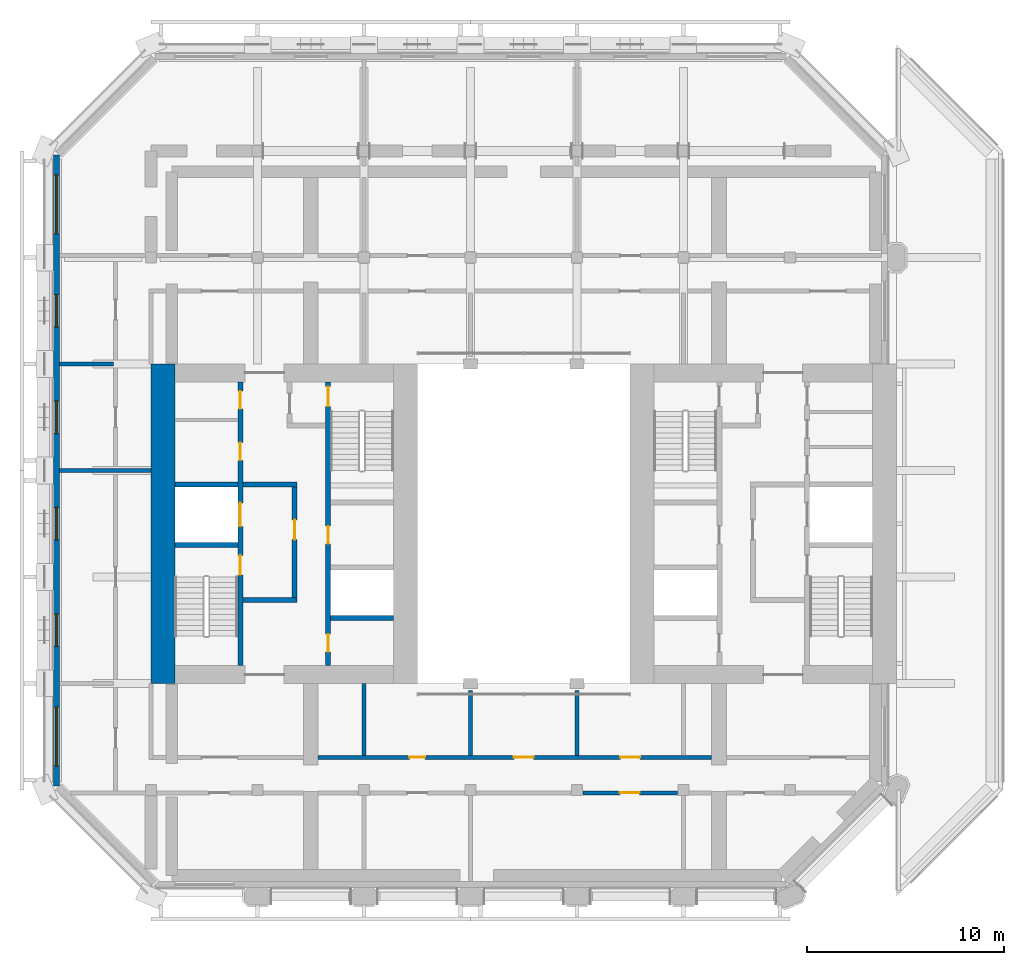
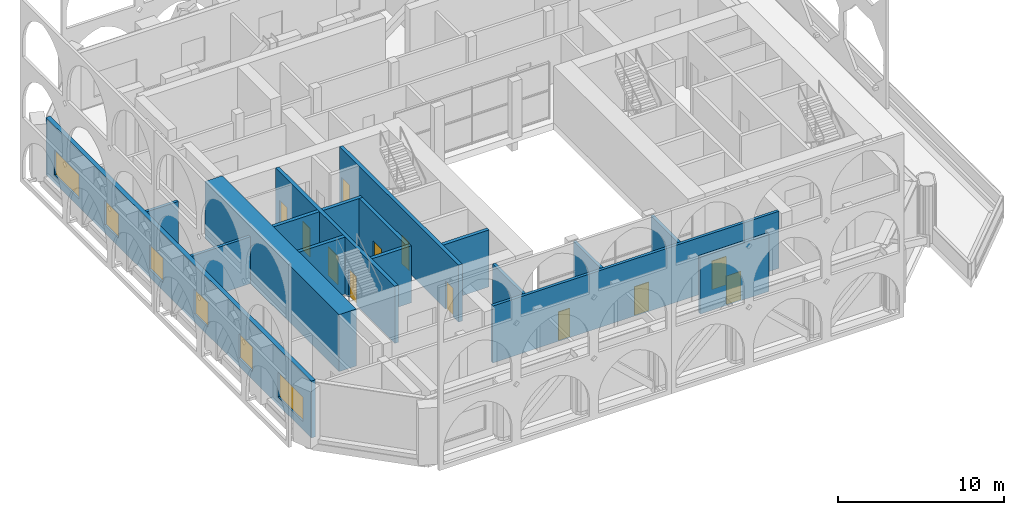
# One storey, part 7 of 16: 17 walls, 12 doors, 6 windows, 18 openings.
"""IFC4 building model written with IfcOpenShell, lengths in metres."""

from ifc_helpers import new_model, si_unit, direction, frame, frame_2d, origin, place, context, subcontext, project, spatial, polyline, rectangle, outline, extrude, material, layer, layer_set, type_object, element, fill, save


model = new_model("IFC4")

# Units and contexts
model_context = context("Model", 3, precision=1e-05, world=origin(), true_north=direction((0.0, 1.0)))
body_context = subcontext(model_context, "Body", "Model", "MODEL_VIEW")
ifc_project = project(units=[si_unit("LENGTHUNIT", "METRE"), si_unit("AREAUNIT", "SQUARE_METRE"), si_unit("VOLUMEUNIT", "CUBIC_METRE"), si_unit("PLANEANGLEUNIT", "RADIAN"), si_unit("MASSUNIT", "GRAM", prefix="KILO")], contexts=[model_context])

# Site, building, storey
site_placement = place(None, origin())
site = spatial("IfcSite", under=ifc_project, at=site_placement, CompositionType="ELEMENT")
building_placement = place(site_placement, origin())
building = spatial("IfcBuilding", under=site, at=building_placement, Name="Tabaq Tower and Sports Hall", CompositionType="ELEMENT")
storey_placement = place(building_placement, frame((0.0, 0.0, 308.199951171875)))
storey = spatial("IfcBuildingStorey", under=building, at=storey_placement, Name="L77", CompositionType="ELEMENT", Elevation=308.199951171875)

# Walls
ifc_material_1 = material(Name="Concrete C40/50", Category="concrete")
ifc_layer_1 = layer(ifc_material_1, 1.199951171875)
ifc_layer_set_1 = layer_set([ifc_layer_1], Name="Core wall 1200 Concrete C40/50")
wall_type_1 = type_object("IfcWallType", Name="Core wall 1200 Concrete C40/50", PredefinedType="SOLIDWALL", material=ifc_layer_set_1)
wall_1_placement = place(storey_placement, frame((6.0, 16.199951171875, 0.0), z_axis=(0.0, 0.0, 1.0), x_axis=(0.0, 1.0, 0.0)))
element("IfcWall", 1, at=wall_1_placement, inside=storey, type_object=wall_type_1, Name="Core wall W L77", PredefinedType="SOLIDWALL", context=body_context, shape_type="SweptSolid", body=[
    extrude(rectangle(XDim=16.199951171875, YDim=1.199951171875, at=frame_2d((8.10009765625, 0.0))), origin(), (0.0, 0.0, 1.0), 4.199951171875),
])
ifc_material_2 = material(Name="Blockwork", Category="masonry")
ifc_layer_2 = layer(ifc_material_2, 0.199951171875)
ifc_layer_set_2 = layer_set([ifc_layer_2], Name="Fire compartment wall 200 Blockwork")
wall_type_2 = type_object("IfcWallType", Name="Fire compartment wall 200 Blockwork", PredefinedType="PARTITIONING", material=ifc_layer_set_2)
wall_2_placement = place(storey_placement, frame((0.7509765625, 32.39990234375, 0.0), z_axis=(0.0, 0.0, 1.0), x_axis=(1.0, 0.0, 0.0)))
element("IfcWall", 2, at=wall_2_placement, inside=storey, type_object=wall_type_2, Name="Compartment wall L77", PredefinedType="PARTITIONING", context=body_context, shape_type="SweptSolid", body=[
    extrude(rectangle(XDim=2.7490234375, YDim=0.199951171875, at=frame_2d((1.37451171875, 0.0))), origin(), (0.0, 0.0, 1.0), 3.449951171875),
])
wall_3_placement = place(storey_placement, frame((0.7509765625, 27.0, 0.0), z_axis=(0.0, 0.0, 1.0), x_axis=(1.0, 0.0, 0.0)))
element("IfcWall", 3, at=wall_3_placement, inside=storey, type_object=wall_type_2, Name="Compartment wall L77", PredefinedType="PARTITIONING", context=body_context, shape_type="SweptSolid", body=[
    extrude(rectangle(XDim=4.64892578125, YDim=0.199951171875, at=frame_2d((2.324462890625, 0.0))), origin(), (0.0, 0.0, 1.0), 3.449951171875),
])

# Wall, opening, door
wall_4_placement = place(storey_placement, frame((27.294921875, 10.64990234375, 0.0), z_axis=(0.0, 0.0, 1.0), x_axis=(1.0, 0.0, 0.0)))
wall_4 = element("IfcWall", 4, at=wall_4_placement, inside=storey, type_object=wall_type_2, Name="Compartment wall L77", PredefinedType="PARTITIONING", context=body_context, shape_type="SweptSolid", body=[
    extrude(rectangle(XDim=4.81005859375, YDim=0.199951171875, at=frame_2d((2.405029296875, 0.0))), origin(), (0.0, 0.0, 1.0), 4.199951171875),
])
opening_1_placement = place(wall_4_placement, frame((1.887939453125, 0.0, 0.0)))
opening_1 = element("IfcOpeningElement", 5, at=opening_1_placement, cuts=wall_4, Name="Opening L77-010", PredefinedType="OPENING", context=body_context, shape_type="SweptSolid", body=[
    extrude(rectangle(XDim=1.0, YDim=2.10009765625, at=frame_2d((0.5, 1.050048828125))), frame((0.0, 0.10009765625, 0.0), z_axis=(0.0, -1.0, 0.0), x_axis=(1.0, 0.0, 0.0)), (0.0, 0.0, 1.0), 0.199951171875),
])
ifc_material_3 = material(Name="Steel fire door", Category="steel")
door_type_1 = type_object("IfcDoorType", Name="Plant room door 1000 left hand", OperationType="SINGLE_SWING_LEFT", PredefinedType="DOOR", material=ifc_material_3)
door_1_placement = place(opening_1_placement, origin())
door_1 = element("IfcDoor", 6, at=door_1_placement, inside=storey, type_object=door_type_1, Name="Plant room door L77-010", OperationType="SINGLE_SWING_LEFT", OverallHeight=2.10009765625, OverallWidth=1.0, PredefinedType="DOOR", context=body_context, shape_type="SweptSolid", body=[
    extrude(rectangle(XDim=1.0, YDim=2.10009765625, at=frame_2d((0.5, 1.050048828125))), frame((0.0, 0.02490234375, 0.0), z_axis=(0.0, -1.0, 0.0), x_axis=(1.0, 0.0, 0.0)), (0.0, 0.0, 1.0), 0.050048828125),
])
fill(opening_1, door_1)

# Walls
for number, where, z_axis, x_axis, name in (
    (7, (27.0, 15.830078125, 0.0), (0.0, 0.0, 1.0), (0.0, -1.0, 0.0), "Compartment wall L77"),
    (8, (21.60009765625, 15.830078125, 0.0), (0.0, 0.0, 1.0), (0.0, -1.0, 0.0), "Compartment wall L77"),
):
    element("IfcWall", number, at=place(storey_placement, frame(where, z_axis=z_axis, x_axis=x_axis)), inside=storey, type_object=wall_type_2, Name=name, PredefinedType="PARTITIONING", context=body_context, shape_type="SweptSolid", body=[
        extrude(rectangle(XDim=3.280029296875, YDim=0.199951171875, at=frame_2d((1.64013671875, 0.0))), origin(), (0.0, 0.0, 1.0), 4.199951171875),
    ])
wall_5_placement = place(storey_placement, frame((16.199951171875, 16.199951171875, 0.0), z_axis=(0.0, 0.0, 1.0), x_axis=(0.0, -1.0, 0.0)))
element("IfcWall", 9, at=wall_5_placement, inside=storey, type_object=wall_type_2, Name="Compartment wall L77", PredefinedType="PARTITIONING", context=body_context, shape_type="SweptSolid", body=[
    extrude(rectangle(XDim=3.64990234375, YDim=0.199951171875, at=frame_2d((1.824951171875, 0.0))), origin(), (0.0, 0.0, 1.0), 4.199951171875),
])

# Wall, openings, doors
wall_6_placement = place(storey_placement, frame((13.8759765625, 12.449951171875, 0.0), z_axis=(0.0, 0.0, 1.0), x_axis=(1.0, 0.0, 0.0)))
wall_6 = element("IfcWall", 10, at=wall_6_placement, inside=storey, type_object=wall_type_2, Name="Compartment wall L77", PredefinedType="PARTITIONING", context=body_context, shape_type="SweptSolid", body=[
    extrude(rectangle(XDim=19.947998046875, YDim=0.199951171875, at=frame_2d((9.97412109375, 0.0))), origin(), (0.0, 0.0, 1.0), 4.199951171875),
])
opening_2_placement = place(wall_6_placement, frame((15.323974609375, 0.0, 0.0)))
opening_2 = element("IfcOpeningElement", 11, at=opening_2_placement, cuts=wall_6, Name="Opening L77-013", PredefinedType="OPENING", context=body_context, shape_type="SweptSolid", body=[
    extrude(rectangle(XDim=1.0, YDim=2.10009765625, at=frame_2d((0.5, 1.050048828125))), frame((0.0, 0.10009765625, 0.0), z_axis=(0.0, -1.0, 0.0), x_axis=(1.0, 0.0, 0.0)), (0.0, 0.0, 1.0), 0.199951171875),
])
opening_3_placement = place(wall_6_placement, frame((9.924072265625, 0.0, 0.0)))
opening_3 = element("IfcOpeningElement", 12, at=opening_3_placement, cuts=wall_6, Name="Opening L77-014", PredefinedType="OPENING", context=body_context, shape_type="SweptSolid", body=[
    extrude(rectangle(XDim=1.0, YDim=2.10009765625, at=frame_2d((0.5, 1.050048828125))), frame((0.0, 0.10009765625, 0.0), z_axis=(0.0, -1.0, 0.0), x_axis=(1.0, 0.0, 0.0)), (0.0, 0.0, 1.0), 0.199951171875),
])
opening_4_placement = place(wall_6_placement, frame((4.6240234375, 0.0, 0.0)))
opening_4 = element("IfcOpeningElement", 13, at=opening_4_placement, cuts=wall_6, Name="Opening L77-015", PredefinedType="OPENING", context=body_context, shape_type="SweptSolid", body=[
    extrude(rectangle(XDim=0.800048828125, YDim=2.10009765625, at=frame_2d((0.39990234375, 1.050048828125))), frame((0.0, 0.10009765625, 0.0), z_axis=(0.0, -1.0, 0.0), x_axis=(1.0, 0.0, 0.0)), (0.0, 0.0, 1.0), 0.199951171875),
])
ifc_material_4 = material(Name="Steel fire door", Category="steel")
door_type_2 = type_object("IfcDoorType", Name="Plant room door 1000 right hand", OperationType="SINGLE_SWING_RIGHT", PredefinedType="DOOR", material=ifc_material_4)
door_2_placement = place(opening_3_placement, origin())
door_2 = element("IfcDoor", 14, at=door_2_placement, inside=storey, type_object=door_type_2, Name="Plant room door L77-014", OperationType="SINGLE_SWING_RIGHT", OverallHeight=2.10009765625, OverallWidth=1.0, PredefinedType="DOOR", context=body_context, shape_type="SweptSolid", body=[
    extrude(rectangle(XDim=1.0, YDim=2.10009765625, at=frame_2d((0.5, 1.050048828125))), frame((0.0, 0.02490234375, 0.0), z_axis=(0.0, -1.0, 0.0), x_axis=(1.0, 0.0, 0.0)), (0.0, 0.0, 1.0), 0.050048828125),
])
fill(opening_3, door_2)
ifc_material_5 = material(Name="Steel fire door", Category="steel")
door_type_3 = type_object("IfcDoorType", Name="Riser door 1000 left hand", OperationType="SINGLE_SWING_LEFT", PredefinedType="DOOR", material=ifc_material_5)
door_3_placement = place(opening_2_placement, origin())
door_3 = element("IfcDoor", 15, at=door_3_placement, inside=storey, type_object=door_type_3, Name="Riser door L77-013", OperationType="SINGLE_SWING_LEFT", OverallHeight=2.10009765625, OverallWidth=1.0, PredefinedType="DOOR", context=body_context, shape_type="SweptSolid", body=[
    extrude(rectangle(XDim=1.0, YDim=2.10009765625, at=frame_2d((0.5, 1.050048828125))), frame((0.0, 0.02490234375, 0.0), z_axis=(0.0, -1.0, 0.0), x_axis=(1.0, 0.0, 0.0)), (0.0, 0.0, 1.0), 0.050048828125),
])
fill(opening_2, door_3)
ifc_material_6 = material(Name="Steel fire door", Category="steel")
door_type_4 = type_object("IfcDoorType", Name="Riser door 800 right hand", OperationType="SINGLE_SWING_RIGHT", PredefinedType="DOOR", material=ifc_material_6)
door_4_placement = place(opening_4_placement, origin())
door_4 = element("IfcDoor", 16, at=door_4_placement, inside=storey, type_object=door_type_4, Name="Riser door L77-015", OperationType="SINGLE_SWING_RIGHT", OverallHeight=2.10009765625, OverallWidth=0.800048828125, PredefinedType="DOOR", context=body_context, shape_type="SweptSolid", body=[
    extrude(rectangle(XDim=0.800048828125, YDim=2.10009765625, at=frame_2d((0.39990234375, 1.050048828125))), frame((0.0, 0.02490234375, 0.0), z_axis=(0.0, -1.0, 0.0), x_axis=(1.0, 0.0, 0.0)), (0.0, 0.0, 1.0), 0.050048828125),
])
fill(opening_4, door_4)

ifc_material_7 = material(Name="Concrete C40/50", Category="concrete")
ifc_layer_3 = layer(ifc_material_7, 0.25)
ifc_layer_set_3 = layer_set([ifc_layer_3], Name="Shaft and stair wall 250 Concrete C40/50")
wall_type_3 = type_object("IfcWallType", Name="Shaft and stair wall 250 Concrete C40/50", PredefinedType="SOLIDWALL", material=ifc_layer_set_3)
wall_7_placement = place(storey_placement, frame((9.925048828125, 17.10009765625, 0.0), z_axis=(0.0, 0.0, 1.0), x_axis=(0.0, 1.0, 0.0)))
wall_7 = element("IfcWall", 17, at=wall_7_placement, inside=storey, type_object=wall_type_3, Name="Shaft wall W L77", PredefinedType="SOLIDWALL", context=body_context, shape_type="SweptSolid", body=[
    extrude(rectangle(XDim=14.39990234375, YDim=0.25, at=frame_2d((7.199951171875, 0.0))), origin(), (0.0, 0.0, 1.0), 4.199951171875),
])
opening_5_placement = place(wall_7_placement, frame((4.60009765625, 0.0, 0.0)))
opening_5 = element("IfcOpeningElement", 18, at=opening_5_placement, cuts=wall_7, Name="Opening SD-WL77-03", PredefinedType="OPENING", context=body_context, shape_type="SweptSolid", body=[
    extrude(rectangle(XDim=1.0, YDim=2.10009765625, at=frame_2d((0.5, 1.050048828125))), frame((0.0, 0.125, 0.0), z_axis=(0.0, -1.0, 0.0), x_axis=(1.0, 0.0, 0.0)), (0.0, 0.0, 1.0), 0.25),
])
opening_6_placement = place(wall_7_placement, frame((7.0625, 0.0, 0.0)))
opening_6 = element("IfcOpeningElement", 19, at=opening_6_placement, cuts=wall_7, Name="Opening LD-FF1-L77", PredefinedType="OPENING", context=body_context, shape_type="SweptSolid", body=[
    extrude(rectangle(XDim=1.199951171875, YDim=2.10009765625, at=frame_2d((0.60009765625, 1.050048828125))), frame((0.0, 0.125, 0.0), z_axis=(0.0, -1.0, 0.0), x_axis=(1.0, 0.0, 0.0)), (0.0, 0.0, 1.0), 0.25),
])
opening_7_placement = place(wall_7_placement, frame((10.410400390625, 0.0, 0.0)))
opening_7 = element("IfcOpeningElement", 20, at=opening_7_placement, cuts=wall_7, Name="Opening RD-WL77-08", PredefinedType="OPENING", context=body_context, shape_type="SweptSolid", body=[
    extrude(rectangle(XDim=0.89990234375, YDim=2.10009765625, at=frame_2d((0.449951171875, 1.050048828125))), frame((0.0, 0.125, 0.0), z_axis=(0.0, -1.0, 0.0), x_axis=(1.0, 0.0, 0.0)), (0.0, 0.0, 1.0), 0.25),
])
opening_8_placement = place(wall_7_placement, frame((13.02294921875, 0.0, 0.0)))
opening_8 = element("IfcOpeningElement", 21, at=opening_8_placement, cuts=wall_7, Name="Opening RD-WL77-09", PredefinedType="OPENING", context=body_context, shape_type="SweptSolid", body=[
    extrude(rectangle(XDim=0.89990234375, YDim=2.10009765625, at=frame_2d((0.449951171875, 1.050048828125))), frame((0.0, 0.125, 0.0), z_axis=(0.0, -1.0, 0.0), x_axis=(1.0, 0.0, 0.0)), (0.0, 0.0, 1.0), 0.25),
])
ifc_material_8 = material(Name="Steel fire door", Category="steel")
door_type_5 = type_object("IfcDoorType", Name="Core room door 900", OperationType="SINGLE_SWING_LEFT", PredefinedType="DOOR", material=ifc_material_8)
door_5_placement = place(opening_7_placement, origin())
door_5 = element("IfcDoor", 22, at=door_5_placement, inside=storey, type_object=door_type_5, Name="Door Electrical Room W L77", OperationType="SINGLE_SWING_LEFT", OverallHeight=2.10009765625, OverallWidth=0.89990234375, PredefinedType="DOOR", context=body_context, shape_type="SweptSolid", body=[
    extrude(rectangle(XDim=0.89990234375, YDim=2.10009765625, at=frame_2d((0.449951171875, 1.050048828125))), frame((0.0, 0.02490234375, 0.0), z_axis=(0.0, -1.0, 0.0), x_axis=(1.0, 0.0, 0.0)), (0.0, 0.0, 1.0), 0.050048828125),
])
fill(opening_7, door_5)
door_6_placement = place(opening_8_placement, origin())
door_6 = element("IfcDoor", 23, at=door_6_placement, inside=storey, type_object=door_type_5, Name="Door Comms Room W L77", OperationType="SINGLE_SWING_LEFT", OverallHeight=2.10009765625, OverallWidth=0.89990234375, PredefinedType="DOOR", context=body_context, shape_type="SweptSolid", body=[
    extrude(rectangle(XDim=0.89990234375, YDim=2.10009765625, at=frame_2d((0.449951171875, 1.050048828125))), frame((0.0, 0.02490234375, 0.0), z_axis=(0.0, -1.0, 0.0), x_axis=(1.0, 0.0, 0.0)), (0.0, 0.0, 1.0), 0.050048828125),
])
fill(opening_8, door_6)
ifc_material_9 = material(Name="Stainless steel", Category="steel")
door_type_6 = type_object("IfcDoorType", Name="Lift landing door 1200", OperationType="DOUBLE_DOOR_SLIDING", PredefinedType="DOOR", material=ifc_material_9)
door_7_placement = place(opening_6_placement, origin())
door_7 = element("IfcDoor", 24, at=door_7_placement, inside=storey, type_object=door_type_6, Name="Lift landing door FF1 W L77", OperationType="DOUBLE_DOOR_SLIDING", OverallHeight=2.10009765625, OverallWidth=1.199951171875, PredefinedType="DOOR", context=body_context, shape_type="SweptSolid", body=[
    extrude(rectangle(XDim=1.199951171875, YDim=2.10009765625, at=frame_2d((0.60009765625, 1.050048828125))), frame((0.0, 0.02490234375, 0.0), z_axis=(0.0, -1.0, 0.0), x_axis=(1.0, 0.0, 0.0)), (0.0, 0.0, 1.0), 0.050048828125),
])
fill(opening_6, door_7)
ifc_material_10 = material(Name="Steel fire door", Category="steel")
door_type_7 = type_object("IfcDoorType", Name="Stair door 1000", OperationType="SINGLE_SWING_LEFT", PredefinedType="DOOR", material=ifc_material_10)
door_8_placement = place(opening_5_placement, origin())
door_8 = element("IfcDoor", 25, at=door_8_placement, inside=storey, type_object=door_type_7, Name="Stair door ST1 W L77", OperationType="SINGLE_SWING_LEFT", OverallHeight=2.10009765625, OverallWidth=1.0, PredefinedType="DOOR", context=body_context, shape_type="SweptSolid", body=[
    extrude(rectangle(XDim=1.0, YDim=2.10009765625, at=frame_2d((0.5, 1.050048828125))), frame((0.0, 0.02490234375, 0.0), z_axis=(0.0, -1.0, 0.0), x_axis=(1.0, 0.0, 0.0)), (0.0, 0.0, 1.0), 0.050048828125),
])
fill(opening_5, door_8)

wall_8_placement = place(storey_placement, frame((14.375, 17.10009765625, 0.0), z_axis=(0.0, 0.0, 1.0), x_axis=(0.0, 1.0, 0.0)))
wall_8 = element("IfcWall", 26, at=wall_8_placement, inside=storey, type_object=wall_type_3, Name="Shaft wall W L77", PredefinedType="SOLIDWALL", context=body_context, shape_type="SweptSolid", body=[
    extrude(rectangle(XDim=14.39990234375, YDim=0.25, at=frame_2d((7.199951171875, 0.0))), origin(), (0.0, 0.0, 1.0), 4.199951171875),
])
opening_9_placement = place(wall_8_placement, frame((13.14990234375, 0.0, 0.0)))
opening_9 = element("IfcOpeningElement", 27, at=opening_9_placement, cuts=wall_8, Name="Opening SD-WL77-05", PredefinedType="OPENING", context=body_context, shape_type="SweptSolid", body=[
    extrude(rectangle(XDim=1.0, YDim=2.10009765625, at=frame_2d((0.5, 1.050048828125))), frame((0.0, 0.125, 0.0), z_axis=(0.0, -1.0, 0.0), x_axis=(1.0, 0.0, 0.0)), (0.0, 0.0, 1.0), 0.25),
])
opening_10_placement = place(wall_8_placement, frame((0.699951171875, 0.0, 0.0)))
opening_10 = element("IfcOpeningElement", 28, at=opening_10_placement, cuts=wall_8, Name="Opening RD-WL77-10", PredefinedType="OPENING", context=body_context, shape_type="SweptSolid", body=[
    extrude(rectangle(XDim=0.89990234375, YDim=2.10009765625, at=frame_2d((0.449951171875, 1.050048828125))), frame((0.0, 0.125, 0.0), z_axis=(0.0, -1.0, 0.0), x_axis=(1.0, 0.0, 0.0)), (0.0, 0.0, 1.0), 0.25),
])
opening_11_placement = place(wall_8_placement, frame((6.175048828125, 0.0, 0.0)))
opening_11 = element("IfcOpeningElement", 29, at=opening_11_placement, cuts=wall_8, Name="Opening RD-WL77-11", PredefinedType="OPENING", context=body_context, shape_type="SweptSolid", body=[
    extrude(rectangle(XDim=0.89990234375, YDim=2.10009765625, at=frame_2d((0.449951171875, 1.050048828125))), frame((0.0, 0.125, 0.0), z_axis=(0.0, -1.0, 0.0), x_axis=(1.0, 0.0, 0.0)), (0.0, 0.0, 1.0), 0.25),
])
door_9_placement = place(opening_10_placement, origin())
door_9 = element("IfcDoor", 30, at=door_9_placement, inside=storey, type_object=door_type_5, Name="Door Electrical Riser Room W L77", OperationType="SINGLE_SWING_LEFT", OverallHeight=2.10009765625, OverallWidth=0.89990234375, PredefinedType="DOOR", context=body_context, shape_type="SweptSolid", body=[
    extrude(rectangle(XDim=0.89990234375, YDim=2.10009765625, at=frame_2d((0.449951171875, 1.050048828125))), frame((0.0, 0.02490234375, 0.0), z_axis=(0.0, -1.0, 0.0), x_axis=(1.0, 0.0, 0.0)), (0.0, 0.0, 1.0), 0.050048828125),
])
fill(opening_10, door_9)
door_10_placement = place(opening_11_placement, origin())
door_10 = element("IfcDoor", 31, at=door_10_placement, inside=storey, type_object=door_type_5, Name="Door Riser Room W L77", OperationType="SINGLE_SWING_LEFT", OverallHeight=2.10009765625, OverallWidth=0.89990234375, PredefinedType="DOOR", context=body_context, shape_type="SweptSolid", body=[
    extrude(rectangle(XDim=0.89990234375, YDim=2.10009765625, at=frame_2d((0.449951171875, 1.050048828125))), frame((0.0, 0.02490234375, 0.0), z_axis=(0.0, -1.0, 0.0), x_axis=(1.0, 0.0, 0.0)), (0.0, 0.0, 1.0), 0.050048828125),
])
fill(opening_11, door_10)
door_11_placement = place(opening_9_placement, origin())
door_11 = element("IfcDoor", 32, at=door_11_placement, inside=storey, type_object=door_type_7, Name="Stair door ST2 W L77", OperationType="SINGLE_SWING_LEFT", OverallHeight=2.10009765625, OverallWidth=1.0, PredefinedType="DOOR", context=body_context, shape_type="SweptSolid", body=[
    extrude(rectangle(XDim=1.0, YDim=2.10009765625, at=frame_2d((0.5, 1.050048828125))), frame((0.0, 0.02490234375, 0.0), z_axis=(0.0, -1.0, 0.0), x_axis=(1.0, 0.0, 0.0)), (0.0, 0.0, 1.0), 0.050048828125),
])
fill(opening_9, door_11)

# Walls
for number, where, z_axis, x_axis, name in (
    (33, (6.60009765625, 23.22509765625, 0.0), (0.0, 0.0, 1.0), (1.0, 0.0, 0.0), "Stair enclosure wall W L77"),
    (34, (6.60009765625, 26.300048828125, 0.0), (0.0, 0.0, 1.0), (1.0, 0.0, 0.0), "Shaft wall W L77"),
):
    element("IfcWall", number, at=place(storey_placement, frame(where, z_axis=z_axis, x_axis=x_axis)), inside=storey, type_object=wall_type_3, Name=name, PredefinedType="SOLIDWALL", context=body_context, shape_type="SweptSolid", body=[
        extrude(rectangle(XDim=3.199951171875, YDim=0.25, at=frame_2d((1.60009765625, 0.0))), origin(), (0.0, 0.0, 1.0), 4.199951171875),
    ])
for number, where, z_axis, x_axis, name in (
    (35, (10.050048828125, 26.300048828125, 0.0), (0.0, 0.0, 1.0), (1.0, 0.0, 0.0), "Fire-fighting lobby wall W L77"),
    (36, (10.050048828125, 20.425048828125, 0.0), (0.0, 0.0, 1.0), (1.0, 0.0, 0.0), "Fire-fighting lobby wall W L77"),
):
    element("IfcWall", number, at=place(storey_placement, frame(where, z_axis=z_axis, x_axis=x_axis)), inside=storey, type_object=wall_type_3, Name=name, PredefinedType="SOLIDWALL", context=body_context, shape_type="SweptSolid", body=[
        extrude(rectangle(XDim=2.75, YDim=0.25, at=frame_2d((1.375, 0.0))), origin(), (0.0, 0.0, 1.0), 4.199951171875),
    ])

# Wall, opening, door
wall_9_placement = place(storey_placement, frame((12.675048828125, 20.550048828125, 0.0), z_axis=(0.0, 0.0, 1.0), x_axis=(0.0, 1.0, 0.0)))
wall_9 = element("IfcWall", 37, at=wall_9_placement, inside=storey, type_object=wall_type_3, Name="Fire-fighting lobby wall W L77", PredefinedType="SOLIDWALL", context=body_context, shape_type="SweptSolid", body=[
    extrude(rectangle(XDim=5.625, YDim=0.25, at=frame_2d((2.8125, 0.0))), origin(), (0.0, 0.0, 1.0), 4.199951171875),
])
opening_12_placement = place(wall_9_placement, frame((2.949951171875, 0.0, 0.0)))
opening_12 = element("IfcOpeningElement", 38, at=opening_12_placement, cuts=wall_9, Name="Opening FD-WL77-04", PredefinedType="OPENING", context=body_context, shape_type="SweptSolid", body=[
    extrude(rectangle(XDim=1.0, YDim=2.10009765625, at=frame_2d((0.5, 1.050048828125))), frame((0.0, 0.125, 0.0), z_axis=(0.0, -1.0, 0.0), x_axis=(1.0, 0.0, 0.0)), (0.0, 0.0, 1.0), 0.25),
])
ifc_material_11 = material(Name="Steel fire door", Category="steel")
door_type_8 = type_object("IfcDoorType", Name="Fire-fighting lobby door 1000", OperationType="SINGLE_SWING_LEFT", PredefinedType="DOOR", material=ifc_material_11)
door_12_placement = place(opening_12_placement, origin())
door_12 = element("IfcDoor", 39, at=door_12_placement, inside=storey, type_object=door_type_8, Name="Fire-fighting lobby door W L77", OperationType="SINGLE_SWING_LEFT", OverallHeight=2.10009765625, OverallWidth=1.0, PredefinedType="DOOR", context=body_context, shape_type="SweptSolid", body=[
    extrude(rectangle(XDim=1.0, YDim=2.10009765625, at=frame_2d((0.5, 1.050048828125))), frame((0.0, 0.02490234375, 0.0), z_axis=(0.0, -1.0, 0.0), x_axis=(1.0, 0.0, 0.0)), (0.0, 0.0, 1.0), 0.050048828125),
])
fill(opening_12, door_12)

# Wall
wall_10_placement = place(storey_placement, frame((14.5, 19.52490234375, 0.0), z_axis=(0.0, 0.0, 1.0), x_axis=(1.0, 0.0, 0.0)))
element("IfcWall", 40, at=wall_10_placement, inside=storey, type_object=wall_type_3, Name="Shaft wall W L77", PredefinedType="SOLIDWALL", context=body_context, shape_type="SweptSolid", body=[
    extrude(rectangle(XDim=3.199951171875, YDim=0.25, at=frame_2d((1.60009765625, 0.0))), origin(), (0.0, 0.0, 1.0), 4.199951171875),
])

# Wall, openings, windows
ifc_material_12 = material(Name="White precast concrete C60/75", Category="concrete")
ifc_layer_4 = layer(ifc_material_12, 0.300048828125)
ifc_layer_set_4 = layer_set([ifc_layer_4], Name="White precast concrete C60/75 external wall 300")
wall_type_4 = type_object("IfcWallType", Name="White precast concrete C60/75 external wall 300", PredefinedType="SOLIDWALL", material=ifc_layer_set_4)
wall_11_placement = place(storey_placement, frame((0.60009765625, 43.013671875, 0.0), z_axis=(0.0, 0.0, 1.0), x_axis=(0.0, -1.0, 0.0)))
wall_11 = element("IfcWall", 41, at=wall_11_placement, inside=storey, type_object=wall_type_4, Name="External Wall L77 W", PredefinedType="SOLIDWALL", context=body_context, shape_type="SweptSolid", body=[
    extrude(outline(polyline([(0.0, 0.0), (32.02734375, 0.0), (32.027099609375, 4.199951171875), (31.43408203125, 4.199951171875), (30.841064453125, 4.199951171875), (30.247802734375, 4.199951171875), (29.65478515625, 4.199951171875), (29.061767578125, 4.199951171875), (28.46875, 4.199951171875), (27.87548828125, 4.199951171875), (27.282470703125, 4.199951171875), (26.689453125, 4.199951171875), (26.09619140625, 4.199951171875), (25.503173828125, 4.199951171875), (24.91015625, 4.199951171875), (24.31689453125, 4.199951171875), (23.723876953125, 4.199951171875), (23.130859375, 4.199951171875), (22.53759765625, 4.199951171875), (21.944580078125, 4.199951171875), (21.3515625, 4.199951171875), (20.75830078125, 4.199951171875), (20.165283203125, 4.199951171875), (19.572265625, 4.199951171875), (18.97900390625, 4.199951171875), (18.385986328125, 4.199951171875), (17.79296875, 4.199951171875), (17.19970703125, 4.199951171875), (16.606689453125, 4.199951171875), (16.013671875, 4.199951171875), (15.42041015625, 4.199951171875), (14.827392578125, 4.199951171875), (14.234375, 4.199951171875), (13.64111328125, 4.199951171875), (13.048095703125, 4.199951171875), (12.455078125, 4.199951171875), (11.86181640625, 4.199951171875), (11.268798828125, 4.199951171875), (10.67578125, 4.199951171875), (10.08251953125, 4.199951171875), (9.489501953125, 4.199951171875), (8.896484375, 4.199951171875), (8.303466796875, 4.199951171875), (7.710205078125, 4.199951171875), (7.1171875, 4.199951171875), (6.524169921875, 4.199951171875), (5.930908203125, 4.199951171875), (5.337890625, 4.199951171875), (4.744873046875, 4.199951171875), (4.151611328125, 4.199951171875), (3.55859375, 4.199951171875), (2.965576171875, 4.199951171875), (2.372314453125, 4.199951171875), (1.779296875, 4.199951171875), (1.186279296875, 4.199951171875), (0.593017578125, 4.199951171875), (0.0, 4.199951171875), (0.0, 0.0)])), frame((0.0, 0.14990234375, 0.0), z_axis=(0.0, -1.0, 0.0), x_axis=(1.0, 0.0, 0.0)), (0.0, 0.0, 1.0), 0.300048828125),
])
opening_13_placement = place(wall_11_placement, frame((1.013671875, 0.0, 0.60009765625)))
opening_13 = element("IfcOpeningElement", 42, at=opening_13_placement, cuts=wall_11, Name="Opening LV1", PredefinedType="OPENING", context=body_context, shape_type="SweptSolid", body=[
    extrude(rectangle(XDim=3.0, YDim=1.800048828125, at=frame_2d((1.5, 0.89990234375))), frame((0.0, 0.16015625, 0.0), z_axis=(0.0, -1.0, 0.0), x_axis=(1.0, 0.0, 0.0)), (0.0, 0.0, 1.0), 0.320068359375),
])
opening_14_placement = place(wall_11_placement, frame((7.088623046875, 0.0, 0.60009765625)))
opening_14 = element("IfcOpeningElement", 43, at=opening_14_placement, cuts=wall_11, Name="Opening LV2", PredefinedType="OPENING", context=body_context, shape_type="SweptSolid", body=[
    extrude(rectangle(XDim=1.64990234375, YDim=1.800048828125, at=frame_2d((0.824951171875, 0.89990234375))), frame((0.0, 0.16015625, 0.0), z_axis=(0.0, -1.0, 0.0), x_axis=(1.0, 0.0, 0.0)), (0.0, 0.0, 1.0), 0.320068359375),
])
opening_15_placement = place(wall_11_placement, frame((12.488525390625, 0.0, 0.60009765625)))
opening_15 = element("IfcOpeningElement", 44, at=opening_15_placement, cuts=wall_11, Name="Opening LV2", PredefinedType="OPENING", context=body_context, shape_type="SweptSolid", body=[
    extrude(rectangle(XDim=1.64990234375, YDim=1.800048828125, at=frame_2d((0.824951171875, 0.89990234375))), frame((0.0, 0.16015625, 0.0), z_axis=(0.0, -1.0, 0.0), x_axis=(1.0, 0.0, 0.0)), (0.0, 0.0, 1.0), 0.320068359375),
])
opening_16_placement = place(wall_11_placement, frame((17.888671875, 0.0, 0.60009765625)))
opening_16 = element("IfcOpeningElement", 45, at=opening_16_placement, cuts=wall_11, Name="Opening LV2", PredefinedType="OPENING", context=body_context, shape_type="SweptSolid", body=[
    extrude(rectangle(XDim=1.64990234375, YDim=1.800048828125, at=frame_2d((0.824951171875, 0.89990234375))), frame((0.0, 0.16015625, 0.0), z_axis=(0.0, -1.0, 0.0), x_axis=(1.0, 0.0, 0.0)), (0.0, 0.0, 1.0), 0.320068359375),
])
opening_17_placement = place(wall_11_placement, frame((23.28857421875, 0.0, 0.60009765625)))
opening_17 = element("IfcOpeningElement", 46, at=opening_17_placement, cuts=wall_11, Name="Opening LV2", PredefinedType="OPENING", context=body_context, shape_type="SweptSolid", body=[
    extrude(rectangle(XDim=1.64990234375, YDim=1.800048828125, at=frame_2d((0.824951171875, 0.89990234375))), frame((0.0, 0.16015625, 0.0), z_axis=(0.0, -1.0, 0.0), x_axis=(1.0, 0.0, 0.0)), (0.0, 0.0, 1.0), 0.320068359375),
])
opening_18_placement = place(wall_11_placement, frame((28.013671875, 0.0, 0.60009765625)))
opening_18 = element("IfcOpeningElement", 47, at=opening_18_placement, cuts=wall_11, Name="Opening LV1", PredefinedType="OPENING", context=body_context, shape_type="SweptSolid", body=[
    extrude(rectangle(XDim=3.0, YDim=1.800048828125, at=frame_2d((1.5, 0.89990234375))), frame((0.0, 0.16015625, 0.0), z_axis=(0.0, -1.0, 0.0), x_axis=(1.0, 0.0, 0.0)), (0.0, 0.0, 1.0), 0.320068359375),
])
ifc_material_13 = material(Name="Aluminium alloy 6063-T6 louvre blades", Category="aluminium")
window_type_1 = type_object("IfcWindowType", Name="Plant louvre LV1", PartitioningType="SINGLE_PANEL", PredefinedType="WINDOW", material=ifc_material_13)
window_1_placement = place(opening_13_placement, origin())
window_1 = element("IfcWindow", 48, at=window_1_placement, inside=storey, type_object=window_type_1, Name="Plant louvre L77", OverallHeight=1.800048828125, OverallWidth=3.0, PartitioningType="SINGLE_PANEL", PredefinedType="WINDOW", context=body_context, shape_type="SweptSolid", body=[
    extrude(rectangle(XDim=3.0, YDim=1.800048828125, at=frame_2d((1.5, 0.89990234375))), frame((0.0, 0.030029296875, 0.0), z_axis=(0.0, -1.0, 0.0), x_axis=(1.0, 0.0, 0.0)), (0.0, 0.0, 1.0), 0.06005859375),
])
fill(opening_13, window_1)
window_2_placement = place(opening_18_placement, origin())
window_2 = element("IfcWindow", 49, at=window_2_placement, inside=storey, type_object=window_type_1, Name="Plant louvre L77", OverallHeight=1.800048828125, OverallWidth=3.0, PartitioningType="SINGLE_PANEL", PredefinedType="WINDOW", context=body_context, shape_type="SweptSolid", body=[
    extrude(rectangle(XDim=3.0, YDim=1.800048828125, at=frame_2d((1.5, 0.89990234375))), frame((0.0, 0.030029296875, 0.0), z_axis=(0.0, -1.0, 0.0), x_axis=(1.0, 0.0, 0.0)), (0.0, 0.0, 1.0), 0.06005859375),
])
fill(opening_18, window_2)
ifc_material_14 = material(Name="Aluminium alloy 6063-T6 louvre blades", Category="aluminium")
window_type_2 = type_object("IfcWindowType", Name="Plant louvre LV2", PartitioningType="SINGLE_PANEL", PredefinedType="WINDOW", material=ifc_material_14)
window_3_placement = place(opening_14_placement, origin())
window_3 = element("IfcWindow", 50, at=window_3_placement, inside=storey, type_object=window_type_2, Name="Plant louvre L77", OverallHeight=1.800048828125, OverallWidth=1.64990234375, PartitioningType="SINGLE_PANEL", PredefinedType="WINDOW", context=body_context, shape_type="SweptSolid", body=[
    extrude(rectangle(XDim=1.64990234375, YDim=1.800048828125, at=frame_2d((0.824951171875, 0.89990234375))), frame((0.0, 0.030029296875, 0.0), z_axis=(0.0, -1.0, 0.0), x_axis=(1.0, 0.0, 0.0)), (0.0, 0.0, 1.0), 0.06005859375),
])
fill(opening_14, window_3)
window_4_placement = place(opening_15_placement, origin())
window_4 = element("IfcWindow", 51, at=window_4_placement, inside=storey, type_object=window_type_2, Name="Plant louvre L77", OverallHeight=1.800048828125, OverallWidth=1.64990234375, PartitioningType="SINGLE_PANEL", PredefinedType="WINDOW", context=body_context, shape_type="SweptSolid", body=[
    extrude(rectangle(XDim=1.64990234375, YDim=1.800048828125, at=frame_2d((0.824951171875, 0.89990234375))), frame((0.0, 0.030029296875, 0.0), z_axis=(0.0, -1.0, 0.0), x_axis=(1.0, 0.0, 0.0)), (0.0, 0.0, 1.0), 0.06005859375),
])
fill(opening_15, window_4)
window_5_placement = place(opening_16_placement, origin())
window_5 = element("IfcWindow", 52, at=window_5_placement, inside=storey, type_object=window_type_2, Name="Plant louvre L77", OverallHeight=1.800048828125, OverallWidth=1.64990234375, PartitioningType="SINGLE_PANEL", PredefinedType="WINDOW", context=body_context, shape_type="SweptSolid", body=[
    extrude(rectangle(XDim=1.64990234375, YDim=1.800048828125, at=frame_2d((0.824951171875, 0.89990234375))), frame((0.0, 0.030029296875, 0.0), z_axis=(0.0, -1.0, 0.0), x_axis=(1.0, 0.0, 0.0)), (0.0, 0.0, 1.0), 0.06005859375),
])
fill(opening_16, window_5)
window_6_placement = place(opening_17_placement, origin())
window_6 = element("IfcWindow", 53, at=window_6_placement, inside=storey, type_object=window_type_2, Name="Plant louvre L77", OverallHeight=1.800048828125, OverallWidth=1.64990234375, PartitioningType="SINGLE_PANEL", PredefinedType="WINDOW", context=body_context, shape_type="SweptSolid", body=[
    extrude(rectangle(XDim=1.64990234375, YDim=1.800048828125, at=frame_2d((0.824951171875, 0.89990234375))), frame((0.0, 0.030029296875, 0.0), z_axis=(0.0, -1.0, 0.0), x_axis=(1.0, 0.0, 0.0)), (0.0, 0.0, 1.0), 0.06005859375),
])
fill(opening_17, window_6)

save(model, "model.ifc")
